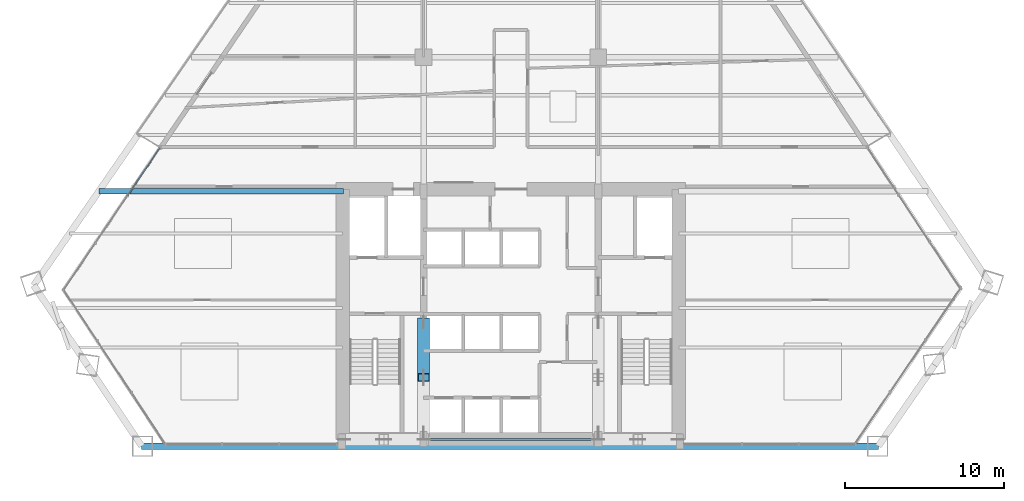
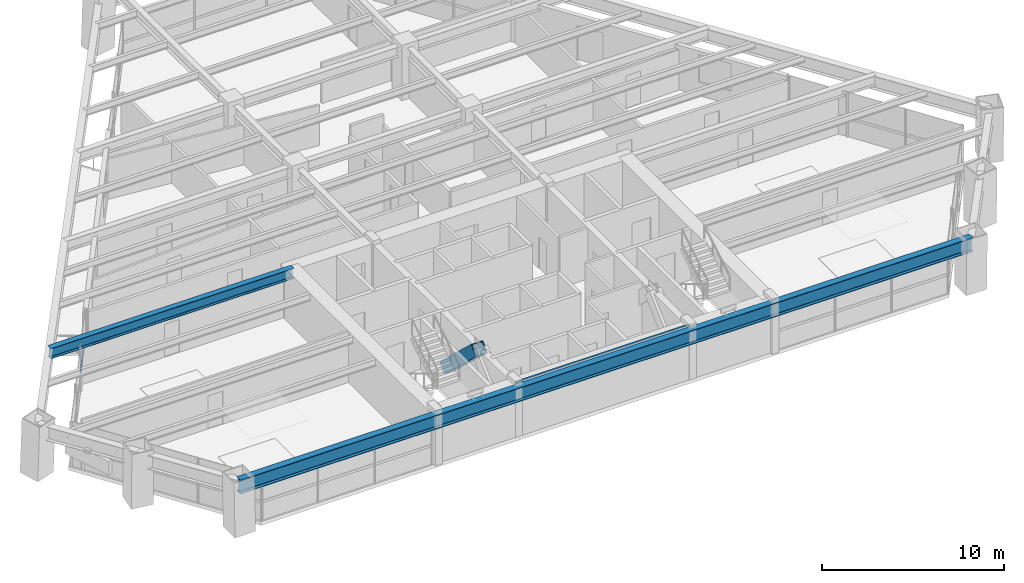
# One storey, part 3 of 14: 3 beams, 2 members, 1 element without a shape of its own.
"""IFC4 building model written with IfcOpenShell, lengths in metres."""

from ifc_helpers import new_model, si_unit, direction, frame, origin, origin_2d, place, context, subcontext, project, spatial, rectangle, hollow_rectangle, i_section, extrude, source, transform, mapped, material, material_profile, profile_set, type_object, type_shapes, element, aggregate, save


model = new_model("IFC4")

# Units and contexts
model_context = context("Model", 3, precision=1e-05, world=origin(), true_north=direction((0.0, 1.0)))
body_context = subcontext(model_context, "Body", "Model", "MODEL_VIEW")
ifc_project = project(units=[si_unit("LENGTHUNIT", "METRE"), si_unit("AREAUNIT", "SQUARE_METRE"), si_unit("VOLUMEUNIT", "CUBIC_METRE"), si_unit("PLANEANGLEUNIT", "RADIAN"), si_unit("MASSUNIT", "GRAM", prefix="KILO")], contexts=[model_context])

# Site, building, storey
site_placement = place(None, origin())
site = spatial("IfcSite", under=ifc_project, at=site_placement, CompositionType="ELEMENT")
building_placement = place(site_placement, origin())
building = spatial("IfcBuilding", under=site, at=building_placement, Name="Varnakhor Terracotta Tower", CompositionType="ELEMENT")
storey_placement = place(building_placement, frame((0.0, 0.0, 68.199951171875)))
storey = spatial("IfcBuildingStorey", under=building, at=storey_placement, Name="L16", CompositionType="ELEMENT", Elevation=68.199951171875)

# Beams
ifc_material_1 = material(Name="Steel S355", Category="steel")
ifc_material_profile_1 = material_profile(ifc_material_1, i_section(OverallWidth=0.1201171875, OverallDepth=0.239990234375, WebThickness=0.006103515625, FlangeThickness=0.009765625, FilletRadius=0.01806640625, at=origin_2d()), Name="IPE240")
ifc_profile_set_1 = profile_set([ifc_material_profile_1], Name="Steel S355")
beam_type_1 = type_object("IfcBeamType", Name="LNT-IPE240", PredefinedType="LINTEL", material=ifc_profile_set_1)
shared_shape_1 = source(origin(), body_context, "Body", "SweptSolid", [
    extrude(i_section(OverallWidth=0.1201171875, OverallDepth=0.239990234375, WebThickness=0.006103515625, FlangeThickness=0.009765625, FilletRadius=0.01806640625, at=origin_2d()), origin(), (0.0, 0.0, 1.0), 11.0),
])
type_shapes(beam_type_1, [shared_shape_1])
beam_1_placement = place(storey_placement, frame((-5.5, 0.419921875, 3.280029296875), z_axis=(1.0, 0.0, 0.0), x_axis=(0.0, 1.0, 0.0)))
element("IfcBeam", 1, at=beam_1_placement, inside=storey, type_object=beam_type_1, Name="L16 Core South Coupling Lintel", PredefinedType="LINTEL", context=body_context, shape_type="MappedRepresentation", body=[
    mapped(shared_shape_1, transform((0.0, 0.0, 0.0), scale=1.0)),
])
ifc_material_profile_2 = material_profile(ifc_material_1, i_section(OverallWidth=0.41796875, OverallDepth=0.927001953125, WebThickness=0.01904296875, FlangeThickness=0.031982421875, FilletRadius=0.01806640625, at=origin_2d()), Name="W36X231")
ifc_profile_set_2 = profile_set([ifc_material_profile_2], Name="Steel S355")
beam_type_2 = type_object("IfcBeamType", Name="BM-W36X231", PredefinedType="BEAM", material=ifc_profile_set_2)
shared_shape_2 = source(origin(), body_context, "Body", "SweptSolid", [
    extrude(i_section(OverallWidth=0.41796875, OverallDepth=0.927001953125, WebThickness=0.01904296875, FlangeThickness=0.031982421875, FilletRadius=0.01806640625, at=origin_2d()), origin(), (0.0, 0.0, 1.0), 46.38330078125),
])
beam_2_placement = place(storey_placement, frame((-23.248291015625, 0.0, 2.9365234375), z_axis=(1.0, 0.0, 0.0), x_axis=(0.0, 1.0, 0.0)))
element("IfcBeam", 2, at=beam_2_placement, inside=storey, type_object=beam_type_2, Name="L16 Perimeter Spandrel 1", PredefinedType="BEAM", context=body_context, shape_type="MappedRepresentation", body=[
    mapped(shared_shape_2, transform((0.0, 0.0, 0.0), scale=1.0)),
])
ifc_material_profile_3 = material_profile(ifc_material_1, i_section(OverallWidth=0.35498046875, OverallDepth=0.695068359375, WebThickness=0.014892578125, FlangeThickness=0.02490234375, FilletRadius=0.01806640625, at=origin_2d()), Name="W27X146")
ifc_profile_set_3 = profile_set([ifc_material_profile_3], Name="Steel S355")
beam_type_3 = type_object("IfcBeamType", Name="BM-W27X146", PredefinedType="BEAM", material=ifc_profile_set_3)
shared_shape_3 = source(origin(), body_context, "Body", "SweptSolid", [
    extrude(i_section(OverallWidth=0.35498046875, OverallDepth=0.695068359375, WebThickness=0.014892578125, FlangeThickness=0.02490234375, FilletRadius=0.01806640625, at=origin_2d()), origin(), (0.0, 0.0, 1.0), 15.4013671875),
])
beam_3_placement = place(storey_placement, frame((-25.951416015625, 16.050048828125, 3.052490234375), z_axis=(1.0, 0.0, 0.0), x_axis=(0.0, 1.0, 0.0)))
element("IfcBeam", 3, at=beam_3_placement, inside=storey, type_object=beam_type_3, Name="L16 Wing Girder W", PredefinedType="BEAM", context=body_context, shape_type="MappedRepresentation", body=[
    mapped(shared_shape_3, transform((0.0, 0.0, 0.0), scale=1.0)),
])

# Member
ifc_material_2 = material(Name="Steel S460", Category="steel")
ifc_material_profile_4 = material_profile(ifc_material_2, hollow_rectangle(XDim=0.75, YDim=0.75, WallThickness=0.044921875, at=origin_2d()), Name="HSS750X750X45")
ifc_profile_set_4 = profile_set([ifc_material_profile_4], Name="Steel S460")
member_type_1 = type_object("IfcMemberType", Name="MBR-MEGA-750", PredefinedType="BRACE", material=ifc_profile_set_4)
shared_shape_4 = source(origin(), body_context, "Body", "SweptSolid", [
    extrude(hollow_rectangle(XDim=0.75, YDim=0.75, WallThickness=0.044921875, at=origin_2d()), origin(), (0.0, 0.0, 1.0), 4.758056640625),
])
member_1_placement = place(storey_placement, frame((-5.5, 7.800048828125, 0.0), z_axis=(0.0, -0.730365543808, 0.683056492846), x_axis=(1.0, 0.0, 0.0)))
element("IfcMember", 4, at=member_1_placement, inside=storey, type_object=member_type_1, Name="L16 Core Coupled Brace CWWB", PredefinedType="BRACE", context=body_context, shape_type="MappedRepresentation", body=[
    mapped(shared_shape_4, transform((0.0, 0.0, 0.0), scale=1.0)),
])

# Curtain wall, member
ifc_material_3 = material(Name="Anodised Aluminium Curtain Wall System", Category="aluminium")
curtain_wall_type = type_object("IfcCurtainWallType", Name="CW-SYS-LOW-OFFICE", PredefinedType="NOTDEFINED", material=ifc_material_3)
curtain_wall_placement = place(storey_placement, origin())
curtain_wall = element("IfcCurtainWall", 5, at=curtain_wall_placement, inside=storey, type_object=curtain_wall_type, Name="L16 W Facet Curtain Wall 1", PredefinedType="NOTDEFINED")
ifc_material_4 = material(Name="Anodised Aluminium 6063-T6", Category="aluminium")
ifc_material_profile_5 = material_profile(ifc_material_4, rectangle(XDim=0.074951171875, YDim=0.1650390625, at=origin_2d()), Name="ALU TRANSOM 75x165")
ifc_profile_set_5 = profile_set([ifc_material_profile_5], Name="Anodised Aluminium 6063-T6")
member_type_2 = type_object("IfcMemberType", Name="CWT-02", PredefinedType="USERDEFINED", material=ifc_profile_set_5)
shared_shape_5 = source(origin(), body_context, "Body", "SweptSolid", [
    extrude(rectangle(XDim=0.074951171875, YDim=0.1650390625, at=origin_2d()), origin(), (0.0, 0.0, 1.0), 3.6123046875),
])
member_2_placement = place(storey_placement, frame((-24.13232421875, 15.784423828125, 1.251708984375), z_axis=(0.561714608285, 0.827331069669, 0.0), x_axis=(-0.827331069669, 0.561714608285, 0.0)))
member_2 = element("IfcMember", 6, at=member_2_placement, type_object=member_type_2, Name="L16 W Facet Curtain Wall 1 Transom 3", ObjectType="TRANSOM", PredefinedType="USERDEFINED", context=body_context, shape_type="MappedRepresentation", body=[
    mapped(shared_shape_5, transform((0.0, 0.0, 0.0), scale=1.0)),
])
aggregate(curtain_wall, [member_2])

save(model, "model.ifc")
